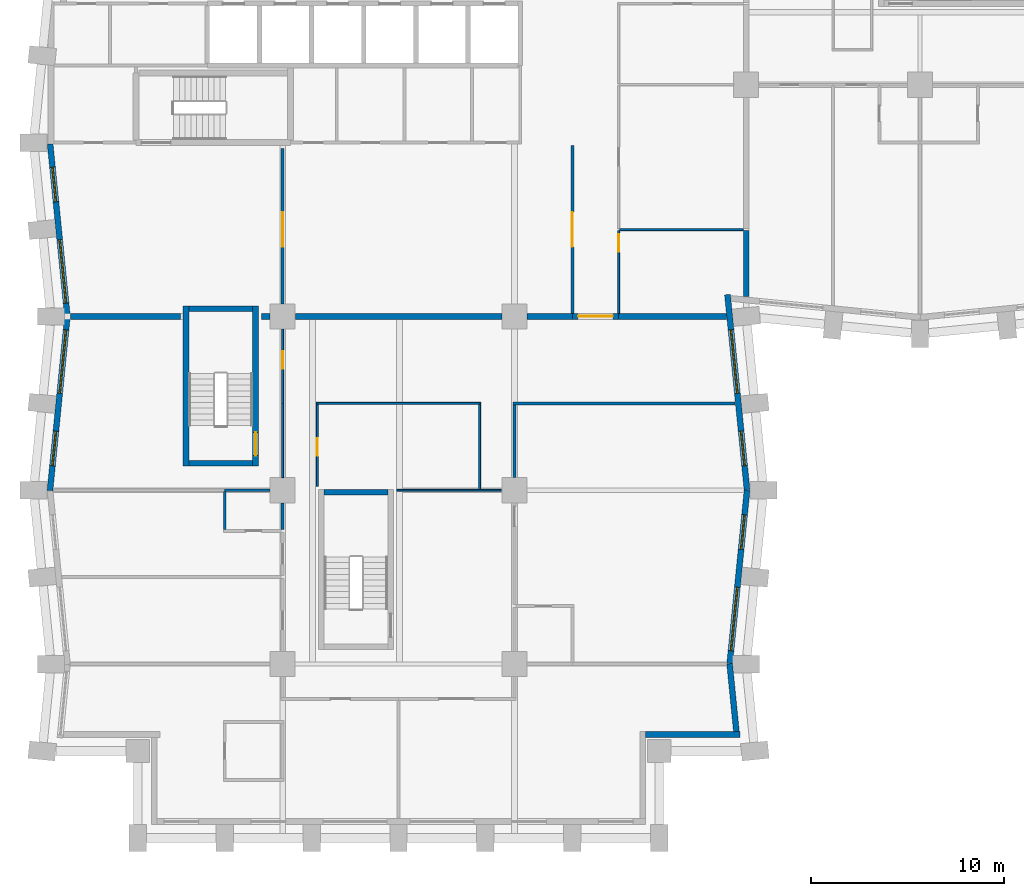
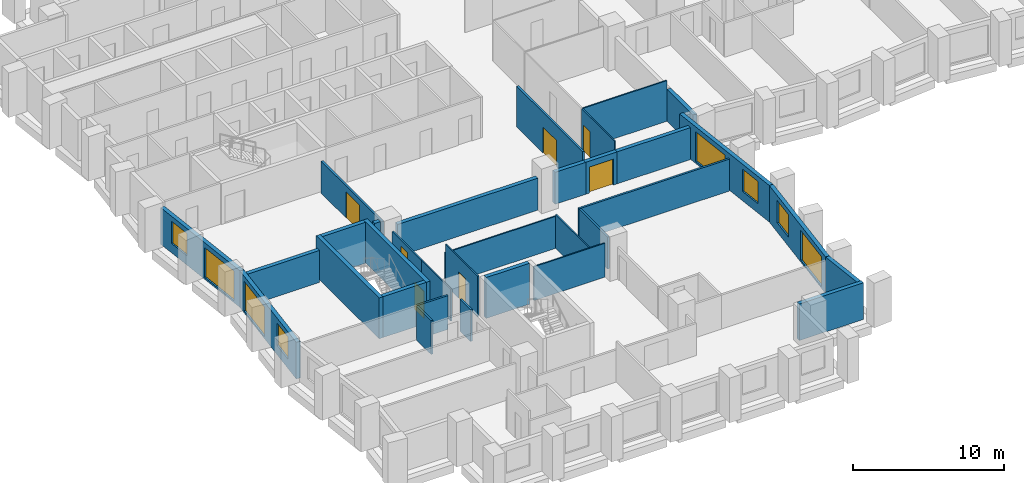
# One storey, part 4 of 13: 33 walls, 8 windows, 7 doors, 15 openings.
"""IFC4 building model written with IfcOpenShell, lengths in metres."""

from ifc_helpers import new_model, si_unit, direction, frame, frame_2d, origin, place, context, subcontext, project, spatial, rectangle, extrude, material, layer, layer_set, type_object, element, fill, save


model = new_model("IFC4")

# Units and contexts
model_context = context("Model", 3, precision=1e-05, world=origin(), true_north=direction((0.0, 1.0)))
body_context = subcontext(model_context, "Body", "Model", "MODEL_VIEW")
ifc_project = project(units=[si_unit("LENGTHUNIT", "METRE"), si_unit("AREAUNIT", "SQUARE_METRE"), si_unit("VOLUMEUNIT", "CUBIC_METRE"), si_unit("PLANEANGLEUNIT", "RADIAN"), si_unit("MASSUNIT", "GRAM", prefix="KILO")], contexts=[model_context])

# Site, building, storey
site_placement = place(None, origin())
site = spatial("IfcSite", under=ifc_project, at=site_placement, CompositionType="ELEMENT")
building_placement = place(site_placement, origin())
building = spatial("IfcBuilding", under=site, at=building_placement, Name="Brondeck Convention Tower", CompositionType="ELEMENT")
storey_placement = place(building_placement, frame((0.0, 0.0, 73.5)))
storey = spatial("IfcBuildingStorey", under=building, at=storey_placement, Name="L16", CompositionType="ELEMENT", Elevation=73.5)

# Walls
ifc_material_1 = material(Name="Concrete compartment wall C30/37", Category="concrete")
ifc_layer_1 = layer(ifc_material_1, 0.300048828125)
ifc_layer_set_1 = layer_set([ifc_layer_1], Name="Compartment wall 300")
wall_type_1 = type_object("IfcWallType", Name="Compartment wall 300", PredefinedType="PARTITIONING", material=ifc_layer_set_1)
wall_1_placement = place(storey_placement, frame((6.699951171875, 27.0, 0.0), z_axis=(0.0, 0.0, 1.0), x_axis=(-1.0, 0.0, 0.0)))
element("IfcWall", 1, at=wall_1_placement, inside=storey, type_object=wall_type_1, Name="FLR-L16-W033", PredefinedType="PARTITIONING", context=body_context, shape_type="SweptSolid", body=[
    extrude(rectangle(XDim=5.675048828125, YDim=0.300048828125, at=frame_2d((2.83740234375, 0.0))), origin(), (0.0, 0.0, 1.0), 2.580078125),
])
wall_2_placement = place(storey_placement, frame((11.344970703125, 27.0, 0.0), z_axis=(0.0, 0.0, 1.0), x_axis=(-1.0, 0.0, 0.0)))
element("IfcWall", 2, at=wall_2_placement, inside=storey, type_object=wall_type_1, Name="FLR-L16-W034", PredefinedType="PARTITIONING", context=body_context, shape_type="SweptSolid", body=[
    extrude(rectangle(XDim=0.445068359375, YDim=0.300048828125, at=frame_2d((0.22265625, 0.0))), origin(), (0.0, 0.0, 1.0), 3.280029296875),
])
wall_3_placement = place(storey_placement, frame((23.344970703125, 27.0, 0.0), z_axis=(0.0, 0.0, 1.0), x_axis=(-1.0, 0.0, 0.0)))
element("IfcWall", 3, at=wall_3_placement, inside=storey, type_object=wall_type_1, Name="FLR-L16-W035", PredefinedType="PARTITIONING", context=body_context, shape_type="SweptSolid", body=[
    extrude(rectangle(XDim=10.68994140625, YDim=0.300048828125, at=frame_2d((5.344970703125, 0.0))), origin(), (0.0, 0.0, 1.0), 2.580078125),
])
wall_4_placement = place(storey_placement, frame((27.0, 27.0, 0.0), z_axis=(0.0, 0.0, 1.0), x_axis=(-1.0, 0.0, 0.0)))
element("IfcWall", 4, at=wall_4_placement, inside=storey, type_object=wall_type_1, Name="FLR-L16-W036", PredefinedType="PARTITIONING", context=body_context, shape_type="SweptSolid", body=[
    extrude(rectangle(XDim=2.344970703125, YDim=0.300048828125, at=frame_2d((1.17236328125, 0.0))), origin(), (0.0, 0.0, 1.0), 2.580078125),
])

# Wall, opening, door
wall_5_placement = place(storey_placement, frame((29.39990234375, 27.0, 0.0), z_axis=(0.0, 0.0, 1.0), x_axis=(-1.0, 0.0, 0.0)))
wall_5 = element("IfcWall", 5, at=wall_5_placement, inside=storey, type_object=wall_type_1, Name="FLR-L16-W037", PredefinedType="PARTITIONING", context=body_context, shape_type="SweptSolid", body=[
    extrude(rectangle(XDim=2.39990234375, YDim=0.300048828125, at=frame_2d((1.199951171875, 0.0))), origin(), (0.0, 0.0, 1.0), 2.580078125),
])
opening_1_placement = place(wall_5_placement, frame((0.300048828125, 0.0, 0.0)))
opening_1 = element("IfcOpeningElement", 6, at=opening_1_placement, cuts=wall_5, Name="Opening H4-042", PredefinedType="OPENING", context=body_context, shape_type="SweptSolid", body=[
    extrude(rectangle(XDim=1.800048828125, YDim=2.10009765625, at=frame_2d((0.89990234375, 1.050048828125))), frame((0.0, 0.159912109375, 0.0), z_axis=(0.0, -1.0, 0.0), x_axis=(1.0, 0.0, 0.0)), (0.0, 0.0, 1.0), 0.320068359375),
])
ifc_material_2 = material(Name="Steel fire door pair", Category="steel")
door_type_1 = type_object("IfcDoorType", Name="Fire door pair 1800", OperationType="DOUBLE_DOOR_SINGLE_SWING", PredefinedType="DOOR", material=ifc_material_2)
door_1_placement = place(opening_1_placement, origin())
door_1 = element("IfcDoor", 7, at=door_1_placement, inside=storey, type_object=door_type_1, Name="Door H4-042", OperationType="DOUBLE_DOOR_SINGLE_SWING", OverallHeight=2.10009765625, OverallWidth=1.800048828125, PredefinedType="DOOR", context=body_context, shape_type="SweptSolid", body=[
    extrude(rectangle(XDim=1.800048828125, YDim=2.10009765625, at=frame_2d((0.89990234375, 1.050048828125))), frame((0.0, 0.02490234375, 0.0), z_axis=(0.0, -1.0, 0.0), x_axis=(1.0, 0.0, 0.0)), (0.0, 0.0, 1.0), 0.050048828125),
])
fill(opening_1, door_1)

# Walls
wall_6_placement = place(storey_placement, frame((34.97509765625, 27.0, 0.0), z_axis=(0.0, 0.0, 1.0), x_axis=(-1.0, 0.0, 0.0)))
element("IfcWall", 8, at=wall_6_placement, inside=storey, type_object=wall_type_1, Name="FLR-L16-W038", PredefinedType="PARTITIONING", context=body_context, shape_type="SweptSolid", body=[
    extrude(rectangle(XDim=5.5751953125, YDim=0.300048828125, at=frame_2d((2.78759765625, 0.0))), origin(), (0.0, 0.0, 1.0), 2.580078125),
])
wall_7_placement = place(storey_placement, frame((36.0, 31.449951171875, 0.0), z_axis=(0.0, 0.0, 1.0), x_axis=(0.0, -1.0, 0.0)))
element("IfcWall", 9, at=wall_7_placement, inside=storey, type_object=wall_type_1, Name="FLR-L16-W041", PredefinedType="PARTITIONING", context=body_context, shape_type="SweptSolid", body=[
    extrude(rectangle(XDim=3.425048828125, YDim=0.300048828125, at=frame_2d((1.71240234375, 0.0))), origin(), (0.0, 0.0, 1.0), 2.580078125),
])
ifc_material_3 = material(Name="Precast concrete C50/60 bronze finish", Category="concrete")
ifc_layer_2 = layer(ifc_material_3, 0.070068359375, Name="Bronze precast facing")
ifc_material_4 = material(Name="Mineral wool")
ifc_layer_3 = layer(ifc_material_4, 0.159912109375, Name="Insulation")
ifc_material_5 = material(Name="Concrete C35/45", Category="concrete")
ifc_layer_4 = layer(ifc_material_5, 0.070068359375, Name="Backing")
ifc_layer_set_2 = layer_set([ifc_layer_2, ifc_layer_3, ifc_layer_4], Name="External infill wall, precast concrete C50/60 bronze facing")
wall_type_2 = type_object("IfcWallType", Name="External infill wall, precast concrete C50/60 bronze facing", PredefinedType="SOLIDWALL", material=ifc_layer_set_2)
wall_8_placement = place(storey_placement, frame((35.676513671875, 5.35009765625, 0.0), z_axis=(0.0, 0.0, 1.0), x_axis=(-1.0, 0.0, 0.0)))
element("IfcWall", 10, at=wall_8_placement, inside=storey, type_object=wall_type_2, Name="ENV-EW-L16-P0-NC-SEB0-02", PredefinedType="SOLIDWALL", context=body_context, shape_type="SweptSolid", body=[
    extrude(rectangle(XDim=4.87646484375, YDim=0.300048828125, at=frame_2d((2.438232421875, 0.0))), origin(), (0.0, 0.0, 1.0), 2.949951171875),
])
wall_9_placement = place(storey_placement, frame((35.144287109375, 9.014892578125, 0.0), z_axis=(0.0, 0.0, 1.0), x_axis=(0.099462600847, -0.995041301169, 0.0)))
element("IfcWall", 11, at=wall_9_placement, inside=storey, type_object=wall_type_2, Name="ENV-EW-L16-P0-B-E-04", PredefinedType="SOLIDWALL", context=body_context, shape_type="SweptSolid", body=[
    extrude(rectangle(XDim=3.52734375, YDim=0.300048828125, at=frame_2d((1.763671875, 0.0))), origin(), (0.0, 0.0, 1.0), 2.949951171875),
])

# Wall, openings, windows
wall_10_placement = place(storey_placement, frame((36.04736328125, 18.014892578125, 0.0), z_axis=(0.0, 0.0, 1.0), x_axis=(-0.099522457379, -0.995035316196, 0.0)))
wall_10 = element("IfcWall", 12, at=wall_10_placement, inside=storey, type_object=wall_type_2, Name="ENV-EW-L16-P0-B-E-03", PredefinedType="SOLIDWALL", context=body_context, shape_type="SweptSolid", body=[
    extrude(rectangle(XDim=9.030029296875, YDim=0.300048828125, at=frame_2d((4.51513671875, 0.0))), origin(), (0.0, 0.0, 1.0), 2.949951171875),
])
opening_2_placement = place(wall_10_placement, frame((1.291259765625, 0.0, 0.75)))
opening_2 = element("IfcOpeningElement", 13, at=opening_2_placement, cuts=wall_10, Name="Opening W10", PredefinedType="OPENING", context=body_context, shape_type="SweptSolid", body=[
    extrude(rectangle(XDim=1.800048828125, YDim=1.800048828125, at=frame_2d((0.89990234375, 0.89990234375))), frame((0.0, 0.159912109375, 0.0), z_axis=(0.0, -1.0, 0.0), x_axis=(1.0, 0.0, 0.0)), (0.0, 0.0, 1.0), 0.320068359375),
])
opening_3_placement = place(wall_10_placement, frame((5.063720703125, 0.0, 0.14990234375)))
opening_3 = element("IfcOpeningElement", 14, at=opening_3_placement, cuts=wall_10, Name="Opening W9", PredefinedType="OPENING", context=body_context, shape_type="SweptSolid", body=[
    extrude(rectangle(XDim=3.300048828125, YDim=2.39990234375, at=frame_2d((1.64990234375, 1.199951171875))), frame((0.0, 0.159912109375, 0.0), z_axis=(0.0, -1.0, 0.0), x_axis=(1.0, 0.0, 0.0)), (0.0, 0.0, 1.0), 0.320068359375),
])
ifc_material_6 = material(Name="Bronze tinted double glazing", Category="glass")
window_type_1 = type_object("IfcWindowType", Name="Glazed flute window, bronze tinted", PartitioningType="SINGLE_PANEL", PredefinedType="WINDOW", material=ifc_material_6)
window_1_placement = place(opening_3_placement, origin())
window_1 = element("IfcWindow", 15, at=window_1_placement, inside=storey, type_object=window_type_1, Name="ENV-WN-L16-P0-B-E-03", OverallHeight=2.39990234375, OverallWidth=3.300048828125, PartitioningType="SINGLE_PANEL", PredefinedType="WINDOW", context=body_context, shape_type="SweptSolid", body=[
    extrude(rectangle(XDim=3.300048828125, YDim=2.39990234375, at=frame_2d((1.64990234375, 1.199951171875))), frame((0.0, 0.030029296875, 0.0), z_axis=(0.0, -1.0, 0.0), x_axis=(1.0, 0.0, 0.0)), (0.0, 0.0, 1.0), 0.06005859375),
])
fill(opening_3, window_1)
window_type_2 = type_object("IfcWindowType", Name="Punched window, bronze tinted", PartitioningType="SINGLE_PANEL", PredefinedType="WINDOW", material=ifc_material_6)
window_2_placement = place(opening_2_placement, origin())
window_2 = element("IfcWindow", 16, at=window_2_placement, inside=storey, type_object=window_type_2, Name="ENV-WN-L16-P0-B-E-02", OverallHeight=1.800048828125, OverallWidth=1.800048828125, PartitioningType="SINGLE_PANEL", PredefinedType="WINDOW", context=body_context, shape_type="SweptSolid", body=[
    extrude(rectangle(XDim=1.800048828125, YDim=1.800048828125, at=frame_2d((0.89990234375, 0.89990234375))), frame((0.0, 0.030029296875, 0.0), z_axis=(0.0, -1.0, 0.0), x_axis=(1.0, 0.0, 0.0)), (0.0, 0.0, 1.0), 0.06005859375),
])
fill(opening_2, window_2)

wall_11_placement = place(storey_placement, frame((35.03271484375, 28.131591796875, 0.0), z_axis=(0.0, 0.0, 1.0), x_axis=(0.099487051997, -0.995038856771, 0.0)))
wall_11 = element("IfcWall", 17, at=wall_11_placement, inside=storey, type_object=wall_type_2, Name="ENV-EW-L16-P0-B-E-01", PredefinedType="SOLIDWALL", context=body_context, shape_type="SweptSolid", body=[
    extrude(rectangle(XDim=10.152099609375, YDim=0.300048828125, at=frame_2d((5.076171875, 0.0))), origin(), (0.0, 0.0, 1.0), 2.949951171875),
])
opening_4_placement = place(wall_11_placement, frame((1.83349609375, 0.0, 0.14990234375)))
opening_4 = element("IfcOpeningElement", 18, at=opening_4_placement, cuts=wall_11, Name="Opening W9", PredefinedType="OPENING", context=body_context, shape_type="SweptSolid", body=[
    extrude(rectangle(XDim=3.300048828125, YDim=2.39990234375, at=frame_2d((1.64990234375, 1.199951171875))), frame((0.0, 0.159912109375, 0.0), z_axis=(0.0, -1.0, 0.0), x_axis=(1.0, 0.0, 0.0)), (0.0, 0.0, 1.0), 0.320068359375),
])
opening_5_placement = place(wall_11_placement, frame((7.10595703125, 0.0, 0.75)))
opening_5 = element("IfcOpeningElement", 19, at=opening_5_placement, cuts=wall_11, Name="Opening W10", PredefinedType="OPENING", context=body_context, shape_type="SweptSolid", body=[
    extrude(rectangle(XDim=1.800048828125, YDim=1.800048828125, at=frame_2d((0.89990234375, 0.89990234375))), frame((0.0, 0.159912109375, 0.0), z_axis=(0.0, -1.0, 0.0), x_axis=(1.0, 0.0, 0.0)), (0.0, 0.0, 1.0), 0.320068359375),
])
window_3_placement = place(opening_4_placement, origin())
window_3 = element("IfcWindow", 20, at=window_3_placement, inside=storey, type_object=window_type_1, Name="ENV-WN-L16-P0-B-E-00", OverallHeight=2.39990234375, OverallWidth=3.300048828125, PartitioningType="SINGLE_PANEL", PredefinedType="WINDOW", context=body_context, shape_type="SweptSolid", body=[
    extrude(rectangle(XDim=3.300048828125, YDim=2.39990234375, at=frame_2d((1.64990234375, 1.199951171875))), frame((0.0, 0.030029296875, 0.0), z_axis=(0.0, -1.0, 0.0), x_axis=(1.0, 0.0, 0.0)), (0.0, 0.0, 1.0), 0.06005859375),
])
fill(opening_4, window_3)
window_4_placement = place(opening_5_placement, origin())
window_4 = element("IfcWindow", 21, at=window_4_placement, inside=storey, type_object=window_type_2, Name="ENV-WN-L16-P0-B-E-01", OverallHeight=1.800048828125, OverallWidth=1.800048828125, PartitioningType="SINGLE_PANEL", PredefinedType="WINDOW", context=body_context, shape_type="SweptSolid", body=[
    extrude(rectangle(XDim=1.800048828125, YDim=1.800048828125, at=frame_2d((0.89990234375, 0.89990234375))), frame((0.0, 0.030029296875, 0.0), z_axis=(0.0, -1.0, 0.0), x_axis=(1.0, 0.0, 0.0)), (0.0, 0.0, 1.0), 0.06005859375),
])
fill(opening_5, window_4)

wall_12_placement = place(storey_placement, frame((0.855712890625, 26.985107421875, 0.0), z_axis=(0.0, 0.0, 1.0), x_axis=(-0.099503719021, 0.99503719021, 0.0)))
wall_12 = element("IfcWall", 22, at=wall_12_placement, inside=storey, type_object=wall_type_2, Name="ENV-EW-L16-P0-B-W-06", PredefinedType="SOLIDWALL", context=body_context, shape_type="SweptSolid", body=[
    extrude(rectangle(XDim=8.994873046875, YDim=0.300048828125, at=frame_2d((4.49755859375, 0.0))), origin(), (0.0, 0.0, 1.0), 2.949951171875),
])
opening_6_placement = place(wall_12_placement, frame((0.711181640625, 0.0, 0.14990234375)))
opening_6 = element("IfcOpeningElement", 23, at=opening_6_placement, cuts=wall_12, Name="Opening W9", PredefinedType="OPENING", context=body_context, shape_type="SweptSolid", body=[
    extrude(rectangle(XDim=3.300048828125, YDim=2.39990234375, at=frame_2d((1.64990234375, 1.199951171875))), frame((0.0, 0.159912109375, 0.0), z_axis=(0.0, -1.0, 0.0), x_axis=(1.0, 0.0, 0.0)), (0.0, 0.0, 1.0), 0.320068359375),
])
opening_7_placement = place(wall_12_placement, frame((5.983642578125, 0.0, 0.75)))
opening_7 = element("IfcOpeningElement", 24, at=opening_7_placement, cuts=wall_12, Name="Opening W10", PredefinedType="OPENING", context=body_context, shape_type="SweptSolid", body=[
    extrude(rectangle(XDim=1.800048828125, YDim=1.800048828125, at=frame_2d((0.89990234375, 0.89990234375))), frame((0.0, 0.159912109375, 0.0), z_axis=(0.0, -1.0, 0.0), x_axis=(1.0, 0.0, 0.0)), (0.0, 0.0, 1.0), 0.320068359375),
])
window_5_placement = place(opening_6_placement, origin())
window_5 = element("IfcWindow", 25, at=window_5_placement, inside=storey, type_object=window_type_1, Name="ENV-WN-L16-P0-B-W-07", OverallHeight=2.39990234375, OverallWidth=3.300048828125, PartitioningType="SINGLE_PANEL", PredefinedType="WINDOW", context=body_context, shape_type="SweptSolid", body=[
    extrude(rectangle(XDim=3.300048828125, YDim=2.39990234375, at=frame_2d((1.64990234375, 1.199951171875))), frame((0.0, 0.030029296875, 0.0), z_axis=(0.0, -1.0, 0.0), x_axis=(1.0, 0.0, 0.0)), (0.0, 0.0, 1.0), 0.06005859375),
])
fill(opening_6, window_5)
window_6_placement = place(opening_7_placement, origin())
window_6 = element("IfcWindow", 26, at=window_6_placement, inside=storey, type_object=window_type_2, Name="ENV-WN-L16-P0-B-W-06", OverallHeight=1.800048828125, OverallWidth=1.800048828125, PartitioningType="SINGLE_PANEL", PredefinedType="WINDOW", context=body_context, shape_type="SweptSolid", body=[
    extrude(rectangle(XDim=1.800048828125, YDim=1.800048828125, at=frame_2d((0.89990234375, 0.89990234375))), frame((0.0, 0.030029296875, 0.0), z_axis=(0.0, -1.0, 0.0), x_axis=(1.0, 0.0, 0.0)), (0.0, 0.0, 1.0), 0.06005859375),
])
fill(opening_7, window_6)

wall_13_placement = place(storey_placement, frame((-0.04736328125, 17.985107421875, 0.0), z_axis=(0.0, 0.0, 1.0), x_axis=(0.099522457379, 0.995035316196, 0.0)))
wall_13 = element("IfcWall", 27, at=wall_13_placement, inside=storey, type_object=wall_type_2, Name="ENV-EW-L16-P0-B-W-08", PredefinedType="SOLIDWALL", context=body_context, shape_type="SweptSolid", body=[
    extrude(rectangle(XDim=9.030029296875, YDim=0.300048828125, at=frame_2d((4.51513671875, 0.0))), origin(), (0.0, 0.0, 1.0), 2.949951171875),
])
opening_8_placement = place(wall_13_placement, frame((1.291259765625, 0.0, 0.75)))
opening_8 = element("IfcOpeningElement", 28, at=opening_8_placement, cuts=wall_13, Name="Opening W10", PredefinedType="OPENING", context=body_context, shape_type="SweptSolid", body=[
    extrude(rectangle(XDim=1.800048828125, YDim=1.800048828125, at=frame_2d((0.89990234375, 0.89990234375))), frame((0.0, 0.159912109375, 0.0), z_axis=(0.0, -1.0, 0.0), x_axis=(1.0, 0.0, 0.0)), (0.0, 0.0, 1.0), 0.320068359375),
])
opening_9_placement = place(wall_13_placement, frame((5.063720703125, 0.0, 0.14990234375)))
opening_9 = element("IfcOpeningElement", 29, at=opening_9_placement, cuts=wall_13, Name="Opening W9", PredefinedType="OPENING", context=body_context, shape_type="SweptSolid", body=[
    extrude(rectangle(XDim=3.300048828125, YDim=2.39990234375, at=frame_2d((1.64990234375, 1.199951171875))), frame((0.0, 0.159912109375, 0.0), z_axis=(0.0, -1.0, 0.0), x_axis=(1.0, 0.0, 0.0)), (0.0, 0.0, 1.0), 0.320068359375),
])
window_7_placement = place(opening_9_placement, origin())
window_7 = element("IfcWindow", 30, at=window_7_placement, inside=storey, type_object=window_type_1, Name="ENV-WN-L16-P0-B-W-08", OverallHeight=2.39990234375, OverallWidth=3.300048828125, PartitioningType="SINGLE_PANEL", PredefinedType="WINDOW", context=body_context, shape_type="SweptSolid", body=[
    extrude(rectangle(XDim=3.300048828125, YDim=2.39990234375, at=frame_2d((1.64990234375, 1.199951171875))), frame((0.0, 0.030029296875, 0.0), z_axis=(0.0, -1.0, 0.0), x_axis=(1.0, 0.0, 0.0)), (0.0, 0.0, 1.0), 0.06005859375),
])
fill(opening_9, window_7)
window_8_placement = place(opening_8_placement, origin())
window_8 = element("IfcWindow", 31, at=window_8_placement, inside=storey, type_object=window_type_2, Name="ENV-WN-L16-P0-B-W-09", OverallHeight=1.800048828125, OverallWidth=1.800048828125, PartitioningType="SINGLE_PANEL", PredefinedType="WINDOW", context=body_context, shape_type="SweptSolid", body=[
    extrude(rectangle(XDim=1.800048828125, YDim=1.800048828125, at=frame_2d((0.89990234375, 0.89990234375))), frame((0.0, 0.030029296875, 0.0), z_axis=(0.0, -1.0, 0.0), x_axis=(1.0, 0.0, 0.0)), (0.0, 0.0, 1.0), 0.06005859375),
])
fill(opening_8, window_8)

# Walls
ifc_material_7 = material(Name="Double gypsum board acoustic wall")
ifc_layer_5 = layer(ifc_material_7, 0.14990234375)
ifc_layer_set_3 = layer_set([ifc_layer_5], Name="Guest room party wall 150")
wall_type_3 = type_object("IfcWallType", Name="Guest room party wall 150", PredefinedType="PARTITIONING", material=ifc_layer_set_3)
wall_14_placement = place(storey_placement, frame((12.0, 15.97509765625, 0.0), z_axis=(0.0, 0.0, 1.0), x_axis=(0.0, 1.0, 0.0)))
element("IfcWall", 32, at=wall_14_placement, inside=storey, type_object=wall_type_3, Name="FLR-L16-W020", PredefinedType="PARTITIONING", context=body_context, shape_type="SweptSolid", body=[
    extrude(rectangle(XDim=1.369873046875, YDim=0.14990234375, at=frame_2d((0.68505859375, 0.0))), origin(), (0.0, 0.0, 1.0), 2.580078125),
])
wall_15_placement = place(storey_placement, frame((9.0, 17.925048828125, 0.0), z_axis=(0.0, 0.0, 1.0), x_axis=(0.0, -1.0, 0.0)))
element("IfcWall", 33, at=wall_15_placement, inside=storey, type_object=wall_type_3, Name="FLR-L16-W022", PredefinedType="PARTITIONING", context=body_context, shape_type="SweptSolid", body=[
    extrude(rectangle(XDim=1.949951171875, YDim=0.14990234375, at=frame_2d((0.97509765625, 0.0))), origin(), (0.0, 0.0, 1.0), 2.72998046875),
])
wall_16_placement = place(storey_placement, frame((11.344970703125, 18.0, 0.0), z_axis=(0.0, 0.0, 1.0), x_axis=(-1.0, 0.0, 0.0)))
element("IfcWall", 34, at=wall_16_placement, inside=storey, type_object=wall_type_3, Name="FLR-L16-W024", PredefinedType="PARTITIONING", context=body_context, shape_type="SweptSolid", body=[
    extrude(rectangle(XDim=2.344970703125, YDim=0.14990234375, at=frame_2d((1.17236328125, 0.0))), origin(), (0.0, 0.0, 1.0), 2.72998046875),
])
wall_17_placement = place(storey_placement, frame((24.0, 22.425048828125, 0.0), z_axis=(0.0, 0.0, 1.0), x_axis=(0.0, -1.0, 0.0)))
element("IfcWall", 35, at=wall_17_placement, inside=storey, type_object=wall_type_3, Name="FLR-L16-W027", PredefinedType="PARTITIONING", context=body_context, shape_type="SweptSolid", body=[
    extrude(rectangle(XDim=3.77001953125, YDim=0.14990234375, at=frame_2d((1.885009765625, 0.0))), origin(), (0.0, 0.0, 1.0), 2.580078125),
])
wall_18_placement = place(storey_placement, frame((35.425048828125, 22.5, 0.0), z_axis=(0.0, 0.0, 1.0), x_axis=(-1.0, 0.0, 0.0)))
element("IfcWall", 36, at=wall_18_placement, inside=storey, type_object=wall_type_3, Name="FLR-L16-W032", PredefinedType="PARTITIONING", context=body_context, shape_type="SweptSolid", body=[
    extrude(rectangle(XDim=11.5, YDim=0.14990234375, at=frame_2d((5.75, 0.0))), origin(), (0.0, 0.0, 1.0), 2.580078125),
])

# Wall, opening, door
wall_19_placement = place(storey_placement, frame((27.0, 27.14990234375, 0.0), z_axis=(0.0, 0.0, 1.0), x_axis=(0.0, 1.0, 0.0)))
wall_19 = element("IfcWall", 37, at=wall_19_placement, inside=storey, type_object=wall_type_3, Name="FLR-L16-W039", PredefinedType="PARTITIONING", context=body_context, shape_type="SweptSolid", body=[
    extrude(rectangle(XDim=8.7001953125, YDim=0.14990234375, at=frame_2d((4.35009765625, 0.0))), origin(), (0.0, 0.0, 1.0), 3.280029296875),
])
opening_10_placement = place(wall_19_placement, frame((3.449951171875, 0.0, 0.0)))
opening_10 = element("IfcOpeningElement", 38, at=opening_10_placement, cuts=wall_19, Name="Opening H4-039", PredefinedType="OPENING", context=body_context, shape_type="SweptSolid", body=[
    extrude(rectangle(XDim=1.800048828125, YDim=2.10009765625, at=frame_2d((0.89990234375, 1.050048828125))), frame((0.0, 0.0849609375, 0.0), z_axis=(0.0, -1.0, 0.0), x_axis=(1.0, 0.0, 0.0)), (0.0, 0.0, 1.0), 0.169921875),
])
ifc_material_8 = material(Name="Glazed timber double door", Category="wood")
door_type_2 = type_object("IfcDoorType", Name="Double door 1800", OperationType="DOUBLE_DOOR_SINGLE_SWING", PredefinedType="DOOR", material=ifc_material_8)
door_2_placement = place(opening_10_placement, origin())
door_2 = element("IfcDoor", 39, at=door_2_placement, inside=storey, type_object=door_type_2, Name="Door H4-039", OperationType="DOUBLE_DOOR_SINGLE_SWING", OverallHeight=2.10009765625, OverallWidth=1.800048828125, PredefinedType="DOOR", context=body_context, shape_type="SweptSolid", body=[
    extrude(rectangle(XDim=1.800048828125, YDim=2.10009765625, at=frame_2d((0.89990234375, 1.050048828125))), frame((0.0, 0.02490234375, 0.0), z_axis=(0.0, -1.0, 0.0), x_axis=(1.0, 0.0, 0.0)), (0.0, 0.0, 1.0), 0.050048828125),
])
fill(opening_10, door_2)

wall_20_placement = place(storey_placement, frame((12.0, 27.655029296875, 0.0), z_axis=(0.0, 0.0, 1.0), x_axis=(0.0, 1.0, 0.0)))
wall_20 = element("IfcWall", 40, at=wall_20_placement, inside=storey, type_object=wall_type_3, Name="FLR-L16-W043", PredefinedType="PARTITIONING", context=body_context, shape_type="SweptSolid", body=[
    extrude(rectangle(XDim=8.044921875, YDim=0.14990234375, at=frame_2d((4.0224609375, 0.0))), origin(), (0.0, 0.0, 1.0), 2.580078125),
])
opening_11_placement = place(wall_20_placement, frame((2.945068359375, 0.0, 0.0)))
opening_11 = element("IfcOpeningElement", 41, at=opening_11_placement, cuts=wall_20, Name="Opening H4-040", PredefinedType="OPENING", context=body_context, shape_type="SweptSolid", body=[
    extrude(rectangle(XDim=1.800048828125, YDim=2.10009765625, at=frame_2d((0.89990234375, 1.050048828125))), frame((0.0, 0.0849609375, 0.0), z_axis=(0.0, -1.0, 0.0), x_axis=(1.0, 0.0, 0.0)), (0.0, 0.0, 1.0), 0.169921875),
])
door_3_placement = place(opening_11_placement, origin())
door_3 = element("IfcDoor", 42, at=door_3_placement, inside=storey, type_object=door_type_2, Name="Door H4-040", OperationType="DOUBLE_DOOR_SINGLE_SWING", OverallHeight=2.10009765625, OverallWidth=1.800048828125, PredefinedType="DOOR", context=body_context, shape_type="SweptSolid", body=[
    extrude(rectangle(XDim=1.800048828125, YDim=2.10009765625, at=frame_2d((0.89990234375, 1.050048828125))), frame((0.0, 0.02490234375, 0.0), z_axis=(0.0, -1.0, 0.0), x_axis=(1.0, 0.0, 0.0)), (0.0, 0.0, 1.0), 0.050048828125),
])
fill(opening_11, door_3)

# Walls
ifc_material_9 = material(Name="Gypsum board partition on steel studs", Category="steel")
ifc_layer_6 = layer(ifc_material_9, 0.10009765625)
ifc_layer_set_4 = layer_set([ifc_layer_6], Name="Room partition 100")
wall_type_4 = type_object("IfcWallType", Name="Room partition 100", PredefinedType="PARTITIONING", material=ifc_layer_set_4)
wall_21_placement = place(storey_placement, frame((23.330078125, 18.0, 0.0), z_axis=(0.0, 0.0, 1.0), x_axis=(-1.0, 0.0, 0.0)))
element("IfcWall", 43, at=wall_21_placement, inside=storey, type_object=wall_type_4, Name="FLR-L16-W025", PredefinedType="PARTITIONING", context=body_context, shape_type="SweptSolid", body=[
    extrude(rectangle(XDim=5.43017578125, YDim=0.10009765625, at=frame_2d((2.715087890625, 0.0))), origin(), (0.0, 0.0, 1.0), 2.72998046875),
])
wall_22_placement = place(storey_placement, frame((22.199951171875, 18.050048828125, 0.0), z_axis=(0.0, 0.0, 1.0), x_axis=(0.0, 1.0, 0.0)))
element("IfcWall", 44, at=wall_22_placement, inside=storey, type_object=wall_type_4, Name="FLR-L16-W026", PredefinedType="PARTITIONING", context=body_context, shape_type="SweptSolid", body=[
    extrude(rectangle(XDim=4.39990234375, YDim=0.10009765625, at=frame_2d((2.199951171875, 0.0))), origin(), (0.0, 0.0, 1.0), 2.72998046875),
])

# Wall, opening, door
wall_23_placement = place(storey_placement, frame((13.800048828125, 22.449951171875, 0.0), z_axis=(0.0, 0.0, 1.0), x_axis=(0.0, -1.0, 0.0)))
wall_23 = element("IfcWall", 45, at=wall_23_placement, inside=storey, type_object=wall_type_4, Name="FLR-L16-W028", PredefinedType="PARTITIONING", context=body_context, shape_type="SweptSolid", body=[
    extrude(rectangle(XDim=4.25, YDim=0.10009765625, at=frame_2d((2.125, 0.0))), origin(), (0.0, 0.0, 1.0), 3.280029296875),
])
opening_12_placement = place(wall_23_placement, frame((1.75, 0.0, 0.0)))
opening_12 = element("IfcOpeningElement", 46, at=opening_12_placement, cuts=wall_23, Name="Opening H4-029", PredefinedType="OPENING", context=body_context, shape_type="SweptSolid", body=[
    extrude(rectangle(XDim=0.89990234375, YDim=2.10009765625, at=frame_2d((0.449951171875, 1.050048828125))), frame((0.0, 0.06005859375, 0.0), z_axis=(0.0, -1.0, 0.0), x_axis=(1.0, 0.0, 0.0)), (0.0, 0.0, 1.0), 0.1201171875),
])
ifc_material_10 = material(Name="Solid timber door leaf", Category="wood")
door_type_3 = type_object("IfcDoorType", Name="Single door 900", OperationType="NOTDEFINED", PredefinedType="DOOR", material=ifc_material_10)
door_4_placement = place(opening_12_placement, origin())
door_4 = element("IfcDoor", 47, at=door_4_placement, inside=storey, type_object=door_type_3, Name="Door H4-029", OperationType="SINGLE_SWING_LEFT", OverallHeight=2.10009765625, OverallWidth=0.89990234375, PredefinedType="DOOR", context=body_context, shape_type="SweptSolid", body=[
    extrude(rectangle(XDim=0.89990234375, YDim=2.10009765625, at=frame_2d((0.449951171875, 1.050048828125))), frame((0.0, 0.02490234375, 0.0), z_axis=(0.0, -1.0, 0.0), x_axis=(1.0, 0.0, 0.0)), (0.0, 0.0, 1.0), 0.050048828125),
])
fill(opening_12, door_4)

# Wall
wall_24_placement = place(storey_placement, frame((12.0, 22.5, 0.0), z_axis=(0.0, 0.0, 1.0), x_axis=(0.0, -1.0, 0.0)))
element("IfcWall", 48, at=wall_24_placement, inside=storey, type_object=wall_type_4, Name="FLR-L16-W029", PredefinedType="PARTITIONING", context=body_context, shape_type="SweptSolid", body=[
    extrude(rectangle(XDim=3.844970703125, YDim=0.10009765625, at=frame_2d((1.92236328125, 0.0))), origin(), (0.0, 0.0, 1.0), 2.580078125),
])

# Wall, opening, door
wall_25_placement = place(storey_placement, frame((12.0, 26.344970703125, 0.0), z_axis=(0.0, 0.0, 1.0), x_axis=(0.0, -1.0, 0.0)))
wall_25 = element("IfcWall", 49, at=wall_25_placement, inside=storey, type_object=wall_type_4, Name="FLR-L16-W030", PredefinedType="PARTITIONING", context=body_context, shape_type="SweptSolid", body=[
    extrude(rectangle(XDim=3.844970703125, YDim=0.10009765625, at=frame_2d((1.92236328125, 0.0))), origin(), (0.0, 0.0, 1.0), 2.580078125),
])
opening_13_placement = place(wall_25_placement, frame((1.14501953125, 0.0, 0.0)))
opening_13 = element("IfcOpeningElement", 50, at=opening_13_placement, cuts=wall_25, Name="Opening H4-023", PredefinedType="OPENING", context=body_context, shape_type="SweptSolid", body=[
    extrude(rectangle(XDim=0.89990234375, YDim=2.10009765625, at=frame_2d((0.449951171875, 1.050048828125))), frame((0.0, 0.06005859375, 0.0), z_axis=(0.0, -1.0, 0.0), x_axis=(1.0, 0.0, 0.0)), (0.0, 0.0, 1.0), 0.1201171875),
])
door_5_placement = place(opening_13_placement, origin())
door_5 = element("IfcDoor", 51, at=door_5_placement, inside=storey, type_object=door_type_3, Name="Door H4-023", OperationType="SINGLE_SWING_LEFT", OverallHeight=2.10009765625, OverallWidth=0.89990234375, PredefinedType="DOOR", context=body_context, shape_type="SweptSolid", body=[
    extrude(rectangle(XDim=0.89990234375, YDim=2.10009765625, at=frame_2d((0.449951171875, 1.050048828125))), frame((0.0, 0.02490234375, 0.0), z_axis=(0.0, -1.0, 0.0), x_axis=(1.0, 0.0, 0.0)), (0.0, 0.0, 1.0), 0.050048828125),
])
fill(opening_13, door_5)

# Wall
wall_26_placement = place(storey_placement, frame((22.25, 22.5, 0.0), z_axis=(0.0, 0.0, 1.0), x_axis=(-1.0, 0.0, 0.0)))
element("IfcWall", 52, at=wall_26_placement, inside=storey, type_object=wall_type_4, Name="FLR-L16-W031", PredefinedType="PARTITIONING", context=body_context, shape_type="SweptSolid", body=[
    extrude(rectangle(XDim=8.5, YDim=0.10009765625, at=frame_2d((4.25, 0.0))), origin(), (0.0, 0.0, 1.0), 2.580078125),
])

# Wall, opening, door
wall_27_placement = place(storey_placement, frame((29.39990234375, 31.449951171875, 0.0), z_axis=(0.0, 0.0, 1.0), x_axis=(0.0, -1.0, 0.0)))
wall_27 = element("IfcWall", 53, at=wall_27_placement, inside=storey, type_object=wall_type_4, Name="FLR-L16-W040", PredefinedType="PARTITIONING", context=body_context, shape_type="SweptSolid", body=[
    extrude(rectangle(XDim=4.300048828125, YDim=0.10009765625, at=frame_2d((2.14990234375, 0.0))), origin(), (0.0, 0.0, 1.0), 3.280029296875),
])
opening_14_placement = place(wall_27_placement, frame((0.199951171875, 0.0, 0.0)))
opening_14 = element("IfcOpeningElement", 54, at=opening_14_placement, cuts=wall_27, Name="Opening H4-038", PredefinedType="OPENING", context=body_context, shape_type="SweptSolid", body=[
    extrude(rectangle(XDim=0.89990234375, YDim=2.10009765625, at=frame_2d((0.449951171875, 1.050048828125))), frame((0.0, 0.06005859375, 0.0), z_axis=(0.0, -1.0, 0.0), x_axis=(1.0, 0.0, 0.0)), (0.0, 0.0, 1.0), 0.1201171875),
])
door_6_placement = place(opening_14_placement, origin())
door_6 = element("IfcDoor", 55, at=door_6_placement, inside=storey, type_object=door_type_3, Name="Door H4-038", OperationType="SINGLE_SWING_LEFT", OverallHeight=2.10009765625, OverallWidth=0.89990234375, PredefinedType="DOOR", context=body_context, shape_type="SweptSolid", body=[
    extrude(rectangle(XDim=0.89990234375, YDim=2.10009765625, at=frame_2d((0.449951171875, 1.050048828125))), frame((0.0, 0.02490234375, 0.0), z_axis=(0.0, -1.0, 0.0), x_axis=(1.0, 0.0, 0.0)), (0.0, 0.0, 1.0), 0.050048828125),
])
fill(opening_14, door_6)

# Walls
wall_28_placement = place(storey_placement, frame((35.85009765625, 31.5, 0.0), z_axis=(0.0, 0.0, 1.0), x_axis=(-1.0, 0.0, 0.0)))
element("IfcWall", 56, at=wall_28_placement, inside=storey, type_object=wall_type_4, Name="FLR-L16-W042", PredefinedType="PARTITIONING", context=body_context, shape_type="SweptSolid", body=[
    extrude(rectangle(XDim=6.400146484375, YDim=0.10009765625, at=frame_2d((3.2001953125, 0.0))), origin(), (0.0, 0.0, 1.0), 3.280029296875),
])
ifc_material_11 = material(Name="Concrete C80/95", Category="concrete")
ifc_layer_7 = layer(ifc_material_11, 0.300048828125)
ifc_layer_set_5 = layer_set([ifc_layer_7], Name="Stair enclosure wall 300 Concrete C80/95")
wall_type_5 = type_object("IfcWallType", Name="Stair enclosure wall 300 Concrete C80/95", PredefinedType="SHEAR", material=ifc_layer_set_5)
for number, where, z_axis, x_axis, name in (
    (57, (14.14990234375, 17.89990234375, 0.0), (0.0, 0.0, 1.0), (1.0, 0.0, 0.0), "L16 core wall"),
    (58, (7.14990234375, 19.39990234375, 0.0), (0.0, 0.0, 1.0), (1.0, 0.0, 0.0), "L16 core wall"),
    (59, (7.14990234375, 27.39990234375, 0.0), (0.0, 0.0, 1.0), (1.0, 0.0, 0.0), "L16 core wall"),
):
    element("IfcWall", number, at=place(storey_placement, frame(where, z_axis=z_axis, x_axis=x_axis)), inside=storey, type_object=wall_type_5, Name=name, PredefinedType="SHEAR", context=body_context, shape_type="SweptSolid", body=[
        extrude(rectangle(XDim=3.300048828125, YDim=0.300048828125, at=frame_2d((1.64990234375, 0.0))), origin(), (0.0, 0.0, 1.0), 3.300048828125),
    ])
wall_29_placement = place(storey_placement, frame((7.0, 19.25, 0.0), z_axis=(0.0, 0.0, 1.0), x_axis=(0.0, 1.0, 0.0)))
element("IfcWall", 60, at=wall_29_placement, inside=storey, type_object=wall_type_5, Name="L16 core wall", PredefinedType="SHEAR", context=body_context, shape_type="SweptSolid", body=[
    extrude(rectangle(XDim=8.300048828125, YDim=0.300048828125, at=frame_2d((4.14990234375, 0.0))), origin(), (0.0, 0.0, 1.0), 3.300048828125),
])

# Wall, opening, door
wall_30_placement = place(storey_placement, frame((10.60009765625, 19.25, 0.0), z_axis=(0.0, 0.0, 1.0), x_axis=(0.0, 1.0, 0.0)))
wall_30 = element("IfcWall", 61, at=wall_30_placement, inside=storey, type_object=wall_type_5, Name="L16 core wall", PredefinedType="SHEAR", context=body_context, shape_type="SweptSolid", body=[
    extrude(rectangle(XDim=8.300048828125, YDim=0.300048828125, at=frame_2d((4.14990234375, 0.0))), origin(), (0.0, 0.0, 1.0), 3.300048828125),
])
opening_15_placement = place(wall_30_placement, frame((0.550048828125, 0.0, 0.0)))
opening_15 = element("IfcOpeningElement", 62, at=opening_15_placement, cuts=wall_30, Name="Opening C11-21", PredefinedType="OPENING", context=body_context, shape_type="SweptSolid", body=[
    extrude(rectangle(XDim=1.199951171875, YDim=2.199951171875, at=frame_2d((0.60009765625, 1.10009765625))), frame((0.0, 0.159912109375, 0.0), z_axis=(0.0, -1.0, 0.0), x_axis=(1.0, 0.0, 0.0)), (0.0, 0.0, 1.0), 0.320068359375),
])
ifc_material_12 = material(Name="Steel fire door", Category="steel")
door_type_4 = type_object("IfcDoorType", Name="Stair door 1200x2200 EI 90", OperationType="NOTDEFINED", PredefinedType="DOOR", material=ifc_material_12)
door_7_placement = place(opening_15_placement, origin())
door_7 = element("IfcDoor", 63, at=door_7_placement, inside=storey, type_object=door_type_4, Name="L16 Stair door ST-BE", OperationType="SINGLE_SWING_RIGHT", OverallHeight=2.199951171875, OverallWidth=1.199951171875, PredefinedType="DOOR", context=body_context, shape_type="SweptSolid", body=[
    extrude(rectangle(XDim=1.199951171875, YDim=2.199951171875, at=frame_2d((0.60009765625, 1.10009765625))), frame((0.0, 0.02490234375, 0.0), z_axis=(0.0, -1.0, 0.0), x_axis=(1.0, 0.0, 0.0)), (0.0, 0.0, 1.0), 0.050048828125),
])
fill(opening_15, door_7)

save(model, "model.ifc")
